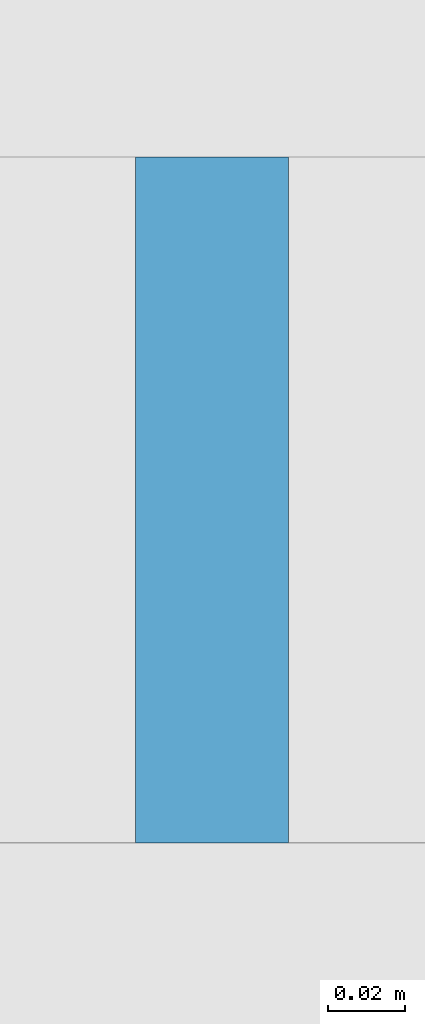
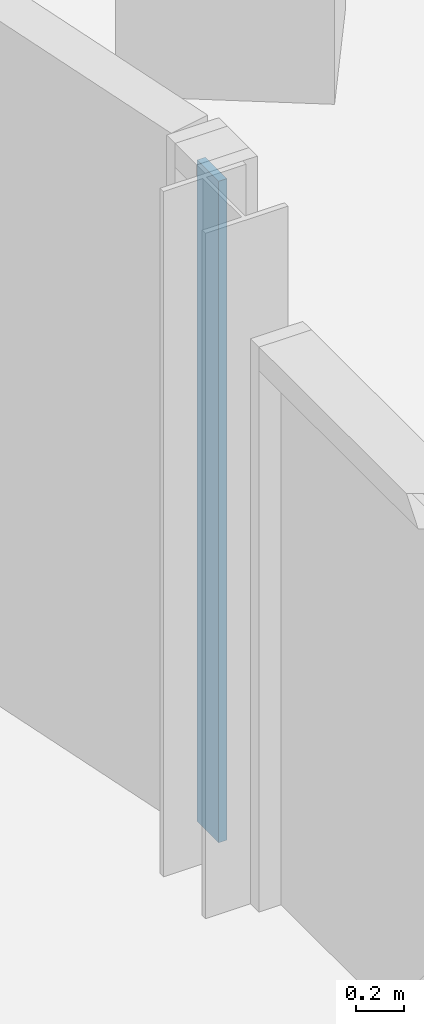
# One storey, part 11 of 30: 1 plate, 1 element without a shape of its own.
"""IFC4 building model written with IfcOpenShell, lengths in metres."""

import ifcopenshell
import ifcopenshell.guid

model = None  # the IFC model being written
_history = None  # IfcOwnerHistory: only IFC2X3 demands one
_inside = {}  # id of a spatial element -> (the spatial element, [elements in it])
_under = {}  # id of a project, library or spatial element -> (it, [spatial elements below it])
_declared = {}  # id of a project -> (the project, [libraries it declares])
_typed = {}  # id of a type object -> (the type object, [elements of that type])
_made_of = {}  # id of a material, layer set ... -> (it, [elements and type objects made of it])


def new_model(schema):
    """Start an empty IFC model of exactly this schema.

    Asked for "IFC4X3", IfcOpenShell would pick the latest addendum, in which some entities
    have other attributes; the version numbers below select the first issue.
    IFC2X3 requires an IfcOwnerHistory on every rooted entity: one is made here for all.
    """
    global model, _history
    if schema == "IFC4X3":
        model = ifcopenshell.file(schema_version=(4, 3, 0, 0))
    else:
        model = ifcopenshell.file(schema=schema)
    _inside.clear()
    _under.clear()
    _declared.clear()
    _typed.clear()
    _made_of.clear()
    _history = None
    if model.schema == "IFC2X3":
        org = make("IfcOrganization", Name="unknown")
        user = make(
            "IfcPersonAndOrganization",
            ThePerson=make("IfcPerson", FamilyName="unknown"),
            TheOrganization=org,
        )
        app = make(
            "IfcApplication",
            ApplicationDeveloper=org,
            Version="unknown",
            ApplicationFullName="unknown",
            ApplicationIdentifier="unknown",
        )
        _history = make(
            "IfcOwnerHistory",
            OwningUser=user,
            OwningApplication=app,
            ChangeAction="ADDED",
            CreationDate=0,
        )
    return model


def make(cls, **values):
    """One entity of the class cls with the attributes given. An attribute that is None is left unset."""
    return model.create_entity(
        cls, **{name: value for name, value in values.items() if value is not None}
    )


def rooted(cls, **values):
    """An entity with a GlobalId (a new one), such as an element, a storey or a relation."""
    return make(cls, GlobalId=ifcopenshell.guid.new(), OwnerHistory=_history, **values)


def si_unit(unit_type, name, prefix=None):
    """IfcSIUnit, for example si_unit("LENGTHUNIT", "METRE", prefix="MILLI")."""
    return make("IfcSIUnit", UnitType=unit_type, Prefix=prefix, Name=name)


def assignment(units):
    """IfcUnitAssignment: the units of a project."""
    return None if units is None else make("IfcUnitAssignment", Units=units)


def point(xyz):
    """IfcCartesianPoint."""
    return None if xyz is None else make("IfcCartesianPoint", Coordinates=xyz)


def direction(xyz):
    """IfcDirection."""
    return None if xyz is None else make("IfcDirection", DirectionRatios=xyz)


def frame(location, z_axis=None, x_axis=None):
    """IfcAxis2Placement3D, a coordinate frame: its origin and axes. An axis left out is left unset."""
    return make(
        "IfcAxis2Placement3D",
        Location=point(location),
        Axis=direction(z_axis),
        RefDirection=direction(x_axis),
    )


def frame_2d(location, x_axis=None):
    """IfcAxis2Placement2D, a coordinate frame in the plane: its origin and x axis."""
    return make(
        "IfcAxis2Placement2D", Location=point(location), RefDirection=direction(x_axis)
    )


def origin():
    """The frame at (0, 0, 0) with its axes left unset."""
    return frame((0.0, 0.0, 0.0))


def origin_2d():
    """The frame at (0, 0) in the plane with its x axis left unset."""
    return frame_2d((0.0, 0.0))


def place(relative_to, where):
    """IfcLocalPlacement: puts the frame where relative to a parent placement (None: the world)."""
    return make(
        "IfcLocalPlacement", PlacementRelTo=relative_to, RelativePlacement=where
    )


def context(
    kind, dimensions, precision=None, world=None, true_north=None, identifier=None
):
    """IfcGeometricRepresentationContext, for example the 3D "Model" context."""
    return make(
        "IfcGeometricRepresentationContext",
        ContextIdentifier=identifier,
        ContextType=kind,
        CoordinateSpaceDimension=dimensions,
        Precision=precision,
        WorldCoordinateSystem=world,
        TrueNorth=true_north,
    )


def subcontext(parent, identifier, kind, view, scale=None):
    """IfcGeometricRepresentationSubContext, for example "Body" below "Model"."""
    return make(
        "IfcGeometricRepresentationSubContext",
        ContextIdentifier=identifier,
        ContextType=kind,
        ParentContext=parent,
        TargetScale=scale,
        TargetView=view,
    )


def project(units=None, contexts=None):
    """IfcProject with its units and contexts."""
    return rooted(
        "IfcProject",
        Name="project",
        RepresentationContexts=contexts,
        UnitsInContext=assignment(units),
    )


def spatial(cls, under=None, at=None, **own):
    """A site, building, storey or space (cls), placed at a placement, below another one or the project."""
    s = rooted(cls, ObjectPlacement=at, **own)
    if under is not None:
        _under.setdefault(under.id(), (under, []))[1].append(s)
    return s


def profile(cls, at=None, kind="AREA", **sizes):
    """A parametric profile (cls). Its sizes go by their IFC names, for example OverallWidth=200.0."""
    return make(cls, ProfileType=kind, Position=at, **sizes)


def rectangle(**sizes):
    """IfcRectangleProfileDef."""
    return profile("IfcRectangleProfileDef", **sizes)


def extrude(swept, where, along, depth):
    """IfcExtrudedAreaSolid: the profile swept, set in the frame where, extruded along a direction by depth."""
    return make(
        "IfcExtrudedAreaSolid",
        SweptArea=swept,
        Position=where,
        ExtrudedDirection=direction(along),
        Depth=depth,
    )


def shape(context_of_items, identifier, shape_type, items):
    """IfcShapeRepresentation: the items that make up one representation, for example the "Body"."""
    return make(
        "IfcShapeRepresentation",
        ContextOfItems=context_of_items,
        RepresentationIdentifier=identifier,
        RepresentationType=shape_type,
        Items=items,
    )


def material(Name=None, Category=None):
    """IfcMaterial."""
    return make("IfcMaterial", Name=Name, Category=Category)


def layer(
    of_material, thickness, ventilated=None, Name=None, Category=None, Priority=None
):
    """IfcMaterialLayer: one layer of a wall or slab, of a material (None: an air gap)."""
    return make(
        "IfcMaterialLayer",
        Material=of_material,
        LayerThickness=thickness,
        IsVentilated=ventilated,
        Name=Name,
        Category=Category,
        Priority=Priority,
    )


def layer_set(layers, Name=None):
    """IfcMaterialLayerSet."""
    return make("IfcMaterialLayerSet", MaterialLayers=layers, LayerSetName=Name)


def made_of(thing, what):
    """Note that an element or type object is made of a material, layer set ...; save() writes the relation."""
    if what is not None:
        _made_of.setdefault(what.id(), (what, []))[1].append(thing)
    return thing


def type_object(cls, material=None, **own):
    """A type object (cls), such as IfcWallType, which elements share."""
    return made_of(rooted(cls, **own), material)


def element(
    cls,
    number,
    at=None,
    inside=None,
    cuts=None,
    type_object=None,
    material=None,
    context=None,
    identifier="Body",
    shape_type=None,
    held_by="IfcProductDefinitionShape",
    body=None,
    shapes=None,
    **own,
):
    """One element of the class cls, such as IfcWall. Its Tag is "e" and its number.

    at: its placement. inside: the storey or other place that contains it. cuts: it is an
    opening in that element (IfcRelVoidsElement). A single representation is given by context,
    identifier, shape_type and body (its items); several are given by shapes. held_by: the class
    of the entity that holds the representations. save() writes the other relations.
    """
    e = rooted(cls, Tag="e%d" % number, ObjectPlacement=at, **own)
    if body is not None:
        shapes = [shape(context, identifier, shape_type, body)]
    if shapes is not None:
        e.Representation = make(held_by, Representations=shapes)
    if inside is not None:
        _inside.setdefault(inside.id(), (inside, []))[1].append(e)
    if cuts is not None:
        rooted(
            "IfcRelVoidsElement", RelatingBuildingElement=cuts, RelatedOpeningElement=e
        )
    if type_object is not None:
        _typed.setdefault(type_object.id(), (type_object, []))[1].append(e)
    return made_of(e, material)


def aggregate(whole, parts):
    """IfcRelAggregates: a whole, such as a stair, and the parts it consists of."""
    return rooted("IfcRelAggregates", RelatingObject=whole, RelatedObjects=parts)


def save(model, path):
    """Write the relations noted so far, then the file.

    IfcRelAggregates (storeys below a building ...), IfcRelContainedInSpatialStructure (elements
    in a storey), IfcRelDefinesByType, IfcRelAssociatesMaterial and IfcRelDeclares: one each for
    every whole, place, type object, material and project.
    """
    for whole, parts in _under.values():
        aggregate(whole, parts)
    for where, things in _inside.values():
        rooted(
            "IfcRelContainedInSpatialStructure",
            RelatedElements=things,
            RelatingStructure=where,
        )
    for kind, things in _typed.values():
        rooted("IfcRelDefinesByType", RelatedObjects=things, RelatingType=kind)
    for what, things in _made_of.values():
        rooted("IfcRelAssociatesMaterial", RelatedObjects=things, RelatingMaterial=what)
    for by, libraries in _declared.values():
        rooted("IfcRelDeclares", RelatingContext=by, RelatedDefinitions=libraries)
    model.write(path)


model = new_model("IFC4")

# Units and contexts
model_context = context("Model", 3, precision=1e-05, world=origin(), true_north=direction((0.0, 1.0)))
body_context = subcontext(model_context, "Body", "Model", "MODEL_VIEW")
ifc_project = project(units=[si_unit("LENGTHUNIT", "METRE"), si_unit("AREAUNIT", "SQUARE_METRE"), si_unit("VOLUMEUNIT", "CUBIC_METRE"), si_unit("PLANEANGLEUNIT", "RADIAN"), si_unit("MASSUNIT", "GRAM", prefix="KILO")], contexts=[model_context])

# Site, building, storey
site_placement = place(None, origin())
site = spatial("IfcSite", under=ifc_project, at=site_placement, CompositionType="ELEMENT")
building_placement = place(site_placement, origin())
building = spatial("IfcBuilding", under=site, at=building_placement, Name="Mahtab Terrace Research Tower", CompositionType="ELEMENT")
storey_placement = place(building_placement, frame((0.0, 0.0, 263.300048828125)))
storey = spatial("IfcBuildingStorey", under=building, at=storey_placement, Name="L64", CompositionType="ELEMENT", Elevation=263.300048828125)

# Curtain wall, plate
ifc_material_1 = material(Name="Sky lounge full-height curtain wall")
curtain_wall_type = type_object("IfcCurtainWallType", Name="Sky lounge full-height curtain wall", PredefinedType="NOTDEFINED", material=ifc_material_1)
curtain_wall_placement = place(storey_placement, origin())
curtain_wall = element("IfcCurtainWall", 1, at=curtain_wall_placement, inside=storey, type_object=curtain_wall_type, Name="EN.L64.18.25", PredefinedType="NOTDEFINED")
ifc_material_2 = material(Name="Dark glazing", Category="glass")
ifc_layer = layer(ifc_material_2, 0.0400390625)
ifc_layer_set = layer_set([ifc_layer], Name="Sky lounge full-height curtain wall glazing panel")
plate_type = type_object("IfcPlateType", Name="Sky lounge full-height curtain wall glazing panel", PredefinedType="CURTAIN_PANEL", material=ifc_layer_set)
plate_placement = place(storey_placement, frame((48.0, 19.952392578125, 0.0), z_axis=(0.0, 0.0, 1.0), x_axis=(0.0, 1.0, 0.0)))
plate = element("IfcPlate", 2, at=plate_placement, type_object=plate_type, Name="CWS-8 panel 1", PredefinedType="CURTAIN_PANEL", context=body_context, shape_type="SweptSolid", body=[
    extrude(rectangle(XDim=0.178955078125, YDim=0.0400390625, at=origin_2d()), origin(), (0.0, 0.0, 1.0), 3.340087890625),
])
aggregate(curtain_wall, [plate])

save(model, "model.ifc")
